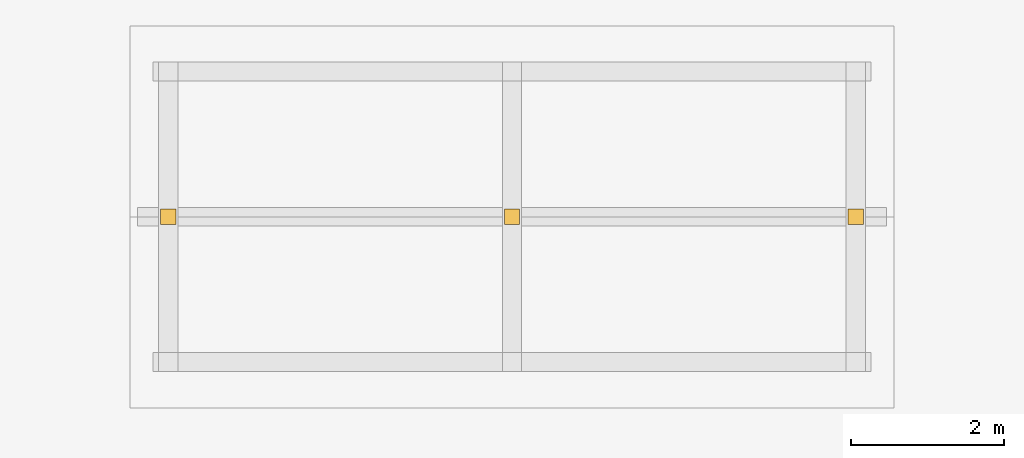
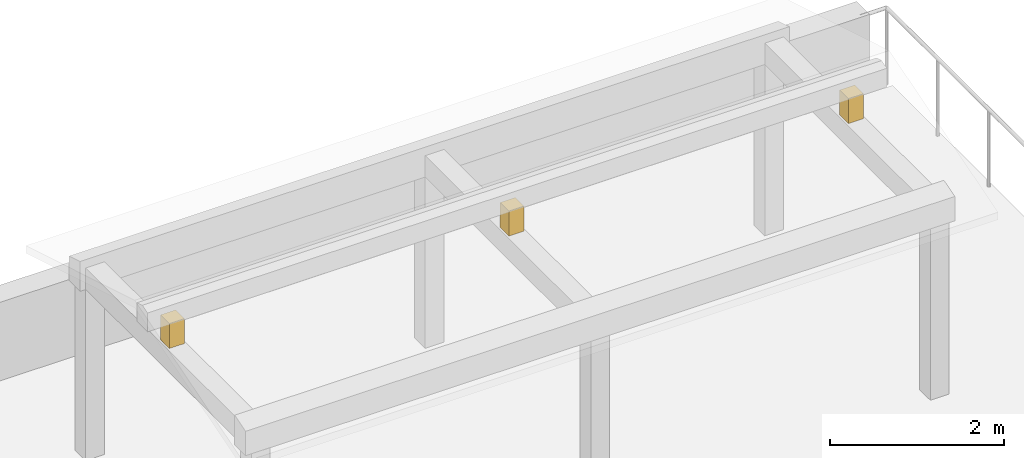
# One storey, part 70 of 70: 3 coverings.
"""IFC4 building model written with IfcOpenShell, lengths in metres."""

from ifc_helpers import new_model, si_unit, direction, frame, origin, place, context, subcontext, project, spatial, polyline, outline, extrude, material, layer, layer_set, type_object, element, save


model = new_model("IFC4")

# Units and contexts
model_context = context("Model", 3, precision=1e-05, world=origin(), true_north=direction((0.0, 1.0)))
body_context = subcontext(model_context, "Body", "Model", "MODEL_VIEW")
ifc_project = project(units=[si_unit("LENGTHUNIT", "METRE"), si_unit("AREAUNIT", "SQUARE_METRE"), si_unit("VOLUMEUNIT", "CUBIC_METRE"), si_unit("PLANEANGLEUNIT", "RADIAN"), si_unit("MASSUNIT", "GRAM", prefix="KILO")], contexts=[model_context])

# Site, building, storey
site_placement = place(None, origin())
site = spatial("IfcSite", under=ifc_project, at=site_placement, CompositionType="ELEMENT")
building_placement = place(site_placement, origin())
building = spatial("IfcBuilding", under=site, at=building_placement, Name="Elbe Cascade School", CompositionType="ELEMENT")
storey_placement = place(building_placement, frame((0.0, 0.0, 8.10009765625)))
storey = spatial("IfcBuildingStorey", under=building, at=storey_placement, Name="L02", CompositionType="ELEMENT", Elevation=8.10009765625)

# Coverings
ifc_material = material(Name="Timber - oak", Category="wood")
ifc_layer = layer(ifc_material, 0.199951171875)
ifc_layer_set = layer_set([ifc_layer], Name="Timber - oak")
covering_type = type_object("IfcCoveringType", Name="Cafe pavilion king post 200", PredefinedType="CLADDING", material=ifc_layer_set)
covering_1_placement = place(storey_placement, frame((0.0, 0.0, 2.699951171875)))
element("IfcCovering", 1, at=covering_1_placement, inside=storey, type_object=covering_type, Name="Cafe pavilion king post 200 CV101", PredefinedType="CLADDING", context=body_context, shape_type="SweptSolid", body=[
    extrude(outline(polyline([(51.39990234375, 11.5), (51.60009765625, 11.5), (51.60009765625, 11.699951171875), (51.39990234375, 11.699951171875), (51.39990234375, 11.5)])), origin(), (0.0, 0.0, 1.0), 0.349853515625),
])
covering_2_placement = place(storey_placement, frame((0.0, 0.0, 2.699951171875)))
element("IfcCovering", 2, at=covering_2_placement, inside=storey, type_object=covering_type, Name="Cafe pavilion king post 200 CV101", PredefinedType="CLADDING", context=body_context, shape_type="SweptSolid", body=[
    extrude(outline(polyline([(55.89990234375, 11.5), (56.10009765625, 11.5), (56.10009765625, 11.699951171875), (55.89990234375, 11.699951171875), (55.89990234375, 11.5)])), origin(), (0.0, 0.0, 1.0), 0.349853515625),
])
covering_3_placement = place(storey_placement, frame((0.0, 0.0, 2.699951171875)))
element("IfcCovering", 3, at=covering_3_placement, inside=storey, type_object=covering_type, Name="Cafe pavilion king post 200 CV101", PredefinedType="CLADDING", context=body_context, shape_type="SweptSolid", body=[
    extrude(outline(polyline([(60.39990234375, 11.5), (60.60009765625, 11.5), (60.60009765625, 11.699951171875), (60.39990234375, 11.699951171875), (60.39990234375, 11.5)])), origin(), (0.0, 0.0, 1.0), 0.349853515625),
])

save(model, "model.ifc")
